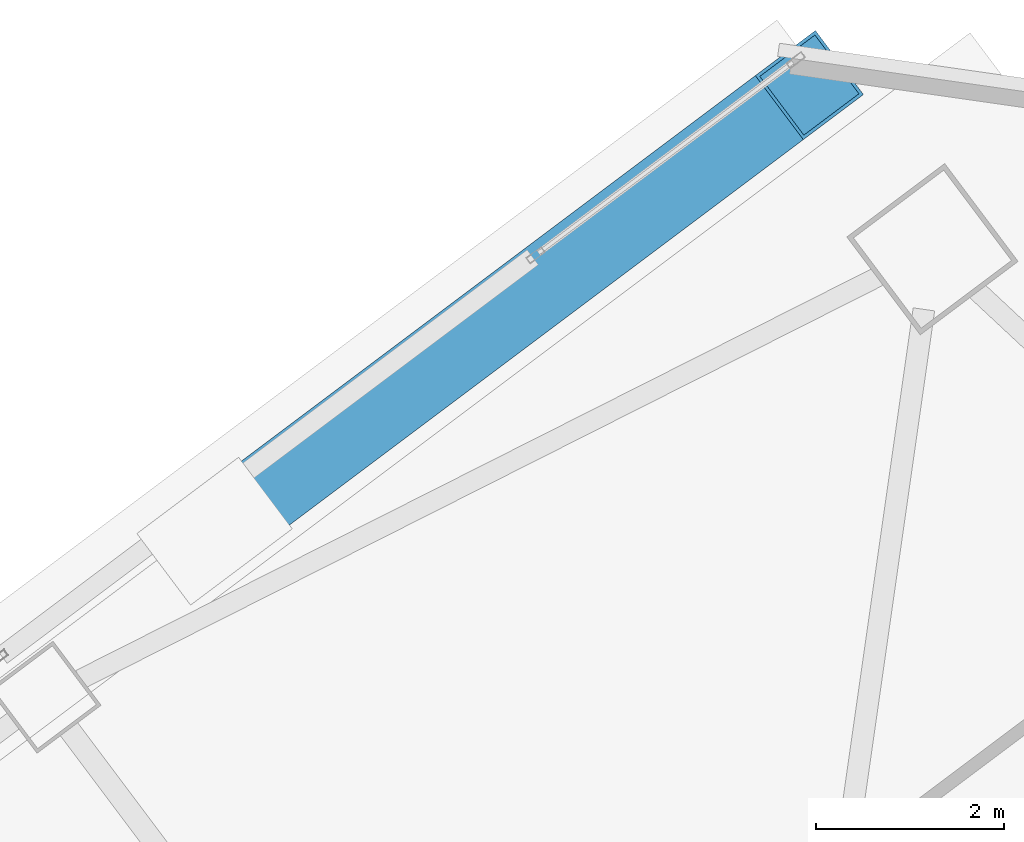
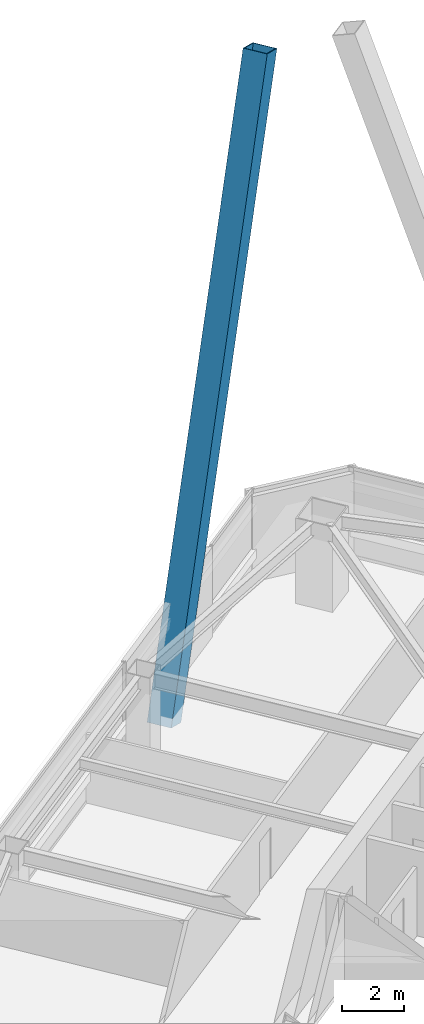
# One storey, part 38 of 54: 1 member.
"""IFC4 building model written with IfcOpenShell, lengths in metres."""

from ifc_helpers import new_model, si_unit, direction, frame, origin, origin_2d, place, context, subcontext, project, spatial, hollow_rectangle, extrude, material, material_profile, profile_set, type_object, element, save


model = new_model("IFC4")

# Units and contexts
model_context = context("Model", 3, precision=1e-05, world=origin(), true_north=direction((0.0, 1.0)))
body_context = subcontext(model_context, "Body", "Model", "MODEL_VIEW")
ifc_project = project(units=[si_unit("LENGTHUNIT", "METRE"), si_unit("AREAUNIT", "SQUARE_METRE"), si_unit("VOLUMEUNIT", "CUBIC_METRE"), si_unit("PLANEANGLEUNIT", "RADIAN"), si_unit("MASSUNIT", "GRAM", prefix="KILO")], contexts=[model_context])

# Site, building, storey
site_placement = place(None, origin())
site = spatial("IfcSite", under=ifc_project, at=site_placement, CompositionType="ELEMENT")
building_placement = place(site_placement, origin())
building = spatial("IfcBuilding", under=site, at=building_placement, Name="Tashvorn Skyway Center", CompositionType="ELEMENT")
storey_placement = place(building_placement, frame((0.0, 0.0, 135.699951171875)))
storey = spatial("IfcBuildingStorey", under=building, at=storey_placement, Name="L36", CompositionType="ELEMENT", Elevation=135.699951171875)

# Member
ifc_material = material(Name="Steel ASTM A572 Grade 50", Category="steel")
ifc_material_profile = material_profile(ifc_material, hollow_rectangle(XDim=0.85009765625, YDim=0.85009765625, WallThickness=0.034912109375, at=origin_2d()), Name="BOX850x850x35")
ifc_profile_set = profile_set([ifc_material_profile], Name="Steel ASTM A572 Grade 50")
member_type = type_object("IfcMemberType", Name="MEM-MB-850", PredefinedType="BRACE", material=ifc_profile_set)
member_placement = place(storey_placement, frame((109.531982421875, 51.1240234375, -0.449951171875), z_axis=(0.27569336859, 0.206767363973, 0.938744067204), x_axis=(-0.599995055399, 0.800003708427, 0.0)))
element("IfcMember", 1, at=member_placement, inside=storey, type_object=member_type, Name="Tower 2 Zone 3 N Chevron Mega-Brace L2", PredefinedType="BRACE", context=body_context, shape_type="SweptSolid", body=[
    extrude(hollow_rectangle(XDim=0.85009765625, YDim=0.85009765625, WallThickness=0.034912109375, at=origin_2d()), origin(), (0.0, 0.0, 1.0), 22.92431640625),
])

save(model, "model.ifc")
